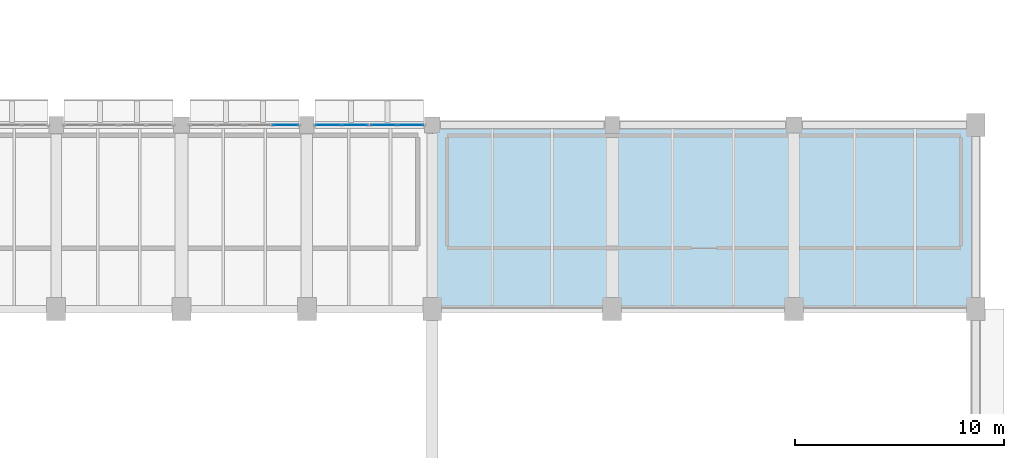
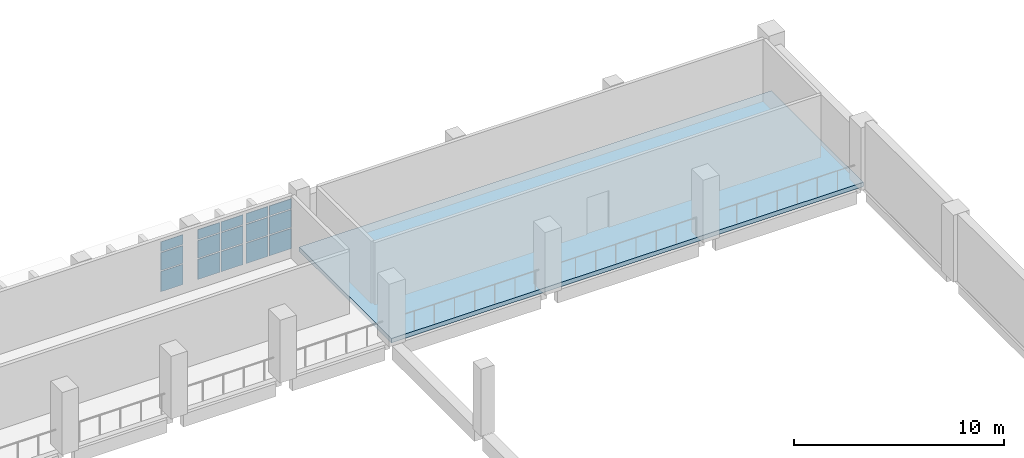
# One storey, part 56 of 80: 15 plates, 1 slab, 3 elements without a shape of their own.
"""IFC4 building model written with IfcOpenShell, lengths in metres."""

import ifcopenshell
import ifcopenshell.guid

model = None  # the IFC model being written
_history = None  # IfcOwnerHistory: only IFC2X3 demands one
_inside = {}  # id of a spatial element -> (the spatial element, [elements in it])
_under = {}  # id of a project, library or spatial element -> (it, [spatial elements below it])
_declared = {}  # id of a project -> (the project, [libraries it declares])
_typed = {}  # id of a type object -> (the type object, [elements of that type])
_made_of = {}  # id of a material, layer set ... -> (it, [elements and type objects made of it])


def new_model(schema):
    """Start an empty IFC model of exactly this schema.

    Asked for "IFC4X3", IfcOpenShell would pick the latest addendum, in which some entities
    have other attributes; the version numbers below select the first issue.
    IFC2X3 requires an IfcOwnerHistory on every rooted entity: one is made here for all.
    """
    global model, _history
    if schema == "IFC4X3":
        model = ifcopenshell.file(schema_version=(4, 3, 0, 0))
    else:
        model = ifcopenshell.file(schema=schema)
    _inside.clear()
    _under.clear()
    _declared.clear()
    _typed.clear()
    _made_of.clear()
    _history = None
    if model.schema == "IFC2X3":
        org = make("IfcOrganization", Name="unknown")
        user = make(
            "IfcPersonAndOrganization",
            ThePerson=make("IfcPerson", FamilyName="unknown"),
            TheOrganization=org,
        )
        app = make(
            "IfcApplication",
            ApplicationDeveloper=org,
            Version="unknown",
            ApplicationFullName="unknown",
            ApplicationIdentifier="unknown",
        )
        _history = make(
            "IfcOwnerHistory",
            OwningUser=user,
            OwningApplication=app,
            ChangeAction="ADDED",
            CreationDate=0,
        )
    return model


def make(cls, **values):
    """One entity of the class cls with the attributes given. An attribute that is None is left unset."""
    return model.create_entity(
        cls, **{name: value for name, value in values.items() if value is not None}
    )


def rooted(cls, **values):
    """An entity with a GlobalId (a new one), such as an element, a storey or a relation."""
    return make(cls, GlobalId=ifcopenshell.guid.new(), OwnerHistory=_history, **values)


def si_unit(unit_type, name, prefix=None):
    """IfcSIUnit, for example si_unit("LENGTHUNIT", "METRE", prefix="MILLI")."""
    return make("IfcSIUnit", UnitType=unit_type, Prefix=prefix, Name=name)


def assignment(units):
    """IfcUnitAssignment: the units of a project."""
    return None if units is None else make("IfcUnitAssignment", Units=units)


def point(xyz):
    """IfcCartesianPoint."""
    return None if xyz is None else make("IfcCartesianPoint", Coordinates=xyz)


def direction(xyz):
    """IfcDirection."""
    return None if xyz is None else make("IfcDirection", DirectionRatios=xyz)


def frame(location, z_axis=None, x_axis=None):
    """IfcAxis2Placement3D, a coordinate frame: its origin and axes. An axis left out is left unset."""
    return make(
        "IfcAxis2Placement3D",
        Location=point(location),
        Axis=direction(z_axis),
        RefDirection=direction(x_axis),
    )


def frame_2d(location, x_axis=None):
    """IfcAxis2Placement2D, a coordinate frame in the plane: its origin and x axis."""
    return make(
        "IfcAxis2Placement2D", Location=point(location), RefDirection=direction(x_axis)
    )


def origin():
    """The frame at (0, 0, 0) with its axes left unset."""
    return frame((0.0, 0.0, 0.0))


def origin_2d():
    """The frame at (0, 0) in the plane with its x axis left unset."""
    return frame_2d((0.0, 0.0))


def place(relative_to, where):
    """IfcLocalPlacement: puts the frame where relative to a parent placement (None: the world)."""
    return make(
        "IfcLocalPlacement", PlacementRelTo=relative_to, RelativePlacement=where
    )


def context(
    kind, dimensions, precision=None, world=None, true_north=None, identifier=None
):
    """IfcGeometricRepresentationContext, for example the 3D "Model" context."""
    return make(
        "IfcGeometricRepresentationContext",
        ContextIdentifier=identifier,
        ContextType=kind,
        CoordinateSpaceDimension=dimensions,
        Precision=precision,
        WorldCoordinateSystem=world,
        TrueNorth=true_north,
    )


def subcontext(parent, identifier, kind, view, scale=None):
    """IfcGeometricRepresentationSubContext, for example "Body" below "Model"."""
    return make(
        "IfcGeometricRepresentationSubContext",
        ContextIdentifier=identifier,
        ContextType=kind,
        ParentContext=parent,
        TargetScale=scale,
        TargetView=view,
    )


def project(units=None, contexts=None):
    """IfcProject with its units and contexts."""
    return rooted(
        "IfcProject",
        Name="project",
        RepresentationContexts=contexts,
        UnitsInContext=assignment(units),
    )


def spatial(cls, under=None, at=None, **own):
    """A site, building, storey or space (cls), placed at a placement, below another one or the project."""
    s = rooted(cls, ObjectPlacement=at, **own)
    if under is not None:
        _under.setdefault(under.id(), (under, []))[1].append(s)
    return s


def polyline(points):
    """IfcPolyline through the points."""
    return make("IfcPolyline", Points=[point(p) for p in points])


def profile(cls, at=None, kind="AREA", **sizes):
    """A parametric profile (cls). Its sizes go by their IFC names, for example OverallWidth=200.0."""
    return make(cls, ProfileType=kind, Position=at, **sizes)


def rectangle(**sizes):
    """IfcRectangleProfileDef."""
    return profile("IfcRectangleProfileDef", **sizes)


def outline(outer, holes=None, kind="AREA"):
    """IfcArbitraryClosedProfileDef: a profile drawn as a closed curve; with holes, ...WithVoids."""
    if holes is None:
        return make("IfcArbitraryClosedProfileDef", ProfileType=kind, OuterCurve=outer)
    return make(
        "IfcArbitraryProfileDefWithVoids",
        ProfileType=kind,
        OuterCurve=outer,
        InnerCurves=holes,
    )


def extrude(swept, where, along, depth):
    """IfcExtrudedAreaSolid: the profile swept, set in the frame where, extruded along a direction by depth."""
    return make(
        "IfcExtrudedAreaSolid",
        SweptArea=swept,
        Position=where,
        ExtrudedDirection=direction(along),
        Depth=depth,
    )


def shape(context_of_items, identifier, shape_type, items):
    """IfcShapeRepresentation: the items that make up one representation, for example the "Body"."""
    return make(
        "IfcShapeRepresentation",
        ContextOfItems=context_of_items,
        RepresentationIdentifier=identifier,
        RepresentationType=shape_type,
        Items=items,
    )


def material(Name=None, Category=None):
    """IfcMaterial."""
    return make("IfcMaterial", Name=Name, Category=Category)


def layer(
    of_material, thickness, ventilated=None, Name=None, Category=None, Priority=None
):
    """IfcMaterialLayer: one layer of a wall or slab, of a material (None: an air gap)."""
    return make(
        "IfcMaterialLayer",
        Material=of_material,
        LayerThickness=thickness,
        IsVentilated=ventilated,
        Name=Name,
        Category=Category,
        Priority=Priority,
    )


def layer_set(layers, Name=None):
    """IfcMaterialLayerSet."""
    return make("IfcMaterialLayerSet", MaterialLayers=layers, LayerSetName=Name)


def made_of(thing, what):
    """Note that an element or type object is made of a material, layer set ...; save() writes the relation."""
    if what is not None:
        _made_of.setdefault(what.id(), (what, []))[1].append(thing)
    return thing


def type_object(cls, material=None, **own):
    """A type object (cls), such as IfcWallType, which elements share."""
    return made_of(rooted(cls, **own), material)


def element(
    cls,
    number,
    at=None,
    inside=None,
    cuts=None,
    type_object=None,
    material=None,
    context=None,
    identifier="Body",
    shape_type=None,
    held_by="IfcProductDefinitionShape",
    body=None,
    shapes=None,
    **own,
):
    """One element of the class cls, such as IfcWall. Its Tag is "e" and its number.

    at: its placement. inside: the storey or other place that contains it. cuts: it is an
    opening in that element (IfcRelVoidsElement). A single representation is given by context,
    identifier, shape_type and body (its items); several are given by shapes. held_by: the class
    of the entity that holds the representations. save() writes the other relations.
    """
    e = rooted(cls, Tag="e%d" % number, ObjectPlacement=at, **own)
    if body is not None:
        shapes = [shape(context, identifier, shape_type, body)]
    if shapes is not None:
        e.Representation = make(held_by, Representations=shapes)
    if inside is not None:
        _inside.setdefault(inside.id(), (inside, []))[1].append(e)
    if cuts is not None:
        rooted(
            "IfcRelVoidsElement", RelatingBuildingElement=cuts, RelatedOpeningElement=e
        )
    if type_object is not None:
        _typed.setdefault(type_object.id(), (type_object, []))[1].append(e)
    return made_of(e, material)


def aggregate(whole, parts):
    """IfcRelAggregates: a whole, such as a stair, and the parts it consists of."""
    return rooted("IfcRelAggregates", RelatingObject=whole, RelatedObjects=parts)


def save(model, path):
    """Write the relations noted so far, then the file.

    IfcRelAggregates (storeys below a building ...), IfcRelContainedInSpatialStructure (elements
    in a storey), IfcRelDefinesByType, IfcRelAssociatesMaterial and IfcRelDeclares: one each for
    every whole, place, type object, material and project.
    """
    for whole, parts in _under.values():
        aggregate(whole, parts)
    for where, things in _inside.values():
        rooted(
            "IfcRelContainedInSpatialStructure",
            RelatedElements=things,
            RelatingStructure=where,
        )
    for kind, things in _typed.values():
        rooted("IfcRelDefinesByType", RelatedObjects=things, RelatingType=kind)
    for what, things in _made_of.values():
        rooted("IfcRelAssociatesMaterial", RelatedObjects=things, RelatingMaterial=what)
    for by, libraries in _declared.values():
        rooted("IfcRelDeclares", RelatingContext=by, RelatedDefinitions=libraries)
    model.write(path)


model = new_model("IFC4")

# Units and contexts
model_context = context("Model", 3, precision=1e-05, world=origin(), true_north=direction((0.0, 1.0)))
body_context = subcontext(model_context, "Body", "Model", "MODEL_VIEW")
ifc_project = project(units=[si_unit("LENGTHUNIT", "METRE"), si_unit("AREAUNIT", "SQUARE_METRE"), si_unit("VOLUMEUNIT", "CUBIC_METRE"), si_unit("PLANEANGLEUNIT", "RADIAN"), si_unit("MASSUNIT", "GRAM", prefix="KILO")], contexts=[model_context])

# Site, building, storey
site_placement = place(None, origin())
site = spatial("IfcSite", under=ifc_project, at=site_placement, CompositionType="ELEMENT")
building_placement = place(site_placement, origin())
building = spatial("IfcBuilding", under=site, at=building_placement, Name="Varnakota Cinema and Media Centre", CompositionType="ELEMENT")
storey_placement = place(building_placement, frame((0.0, 0.0, 4.5)))
storey = spatial("IfcBuildingStorey", under=building, at=storey_placement, Name="L01", CompositionType="ELEMENT", Elevation=4.5)

# Curtain wall, plates
ifc_material_1 = material(Name="Thermally broken anodised aluminium AW-6063", Category="aluminium")
curtain_wall_type = type_object("IfcCurtainWallType", Name="CW-STD-262x304", PredefinedType="USERDEFINED", material=ifc_material_1)
curtain_wall_1_placement = place(storey_placement, origin())
curtain_wall_1 = element("IfcCurtainWall", 1, at=curtain_wall_1_placement, inside=storey, type_object=curtain_wall_type, Name="L01 curtain wall CW-L01-V1-N-09-2", ObjectType="UNITISED CURTAIN WALL", PredefinedType="USERDEFINED")
ifc_material_2 = material(Name="Laminated solar-control double glazing", Category="glass")
ifc_layer_1 = layer(ifc_material_2, 0.028076171875)
ifc_layer_set_1 = layer_set([ifc_layer_1], Name="Laminated solar-control double glazing")
plate_type = type_object("IfcPlateType", Name="CWP-DGU-28", PredefinedType="CURTAIN_PANEL", material=ifc_layer_set_1)
plate_1_placement = place(storey_placement, frame((127.9794921875, 44.0, 0.06494140625), z_axis=(0.0, 0.0, 1.0), x_axis=(1.0, 0.0, 0.0)))
plate_1 = element("IfcPlate", 2, at=plate_1_placement, type_object=plate_type, Name="CW17 panel 2.1", PredefinedType="CURTAIN_PANEL", context=body_context, shape_type="SweptSolid", body=[
    extrude(rectangle(XDim=1.211181640625, YDim=0.028076171875, at=origin_2d()), origin(), (0.0, 0.0, 1.0), 1.17724609375),
])
plate_2_placement = place(storey_placement, frame((127.9794921875, 44.0, 1.30712890625), z_axis=(0.0, 0.0, 1.0), x_axis=(1.0, 0.0, 0.0)))
plate_2 = element("IfcPlate", 3, at=plate_2_placement, type_object=plate_type, Name="CW17 panel 2.2", PredefinedType="CURTAIN_PANEL", context=body_context, shape_type="SweptSolid", body=[
    extrude(rectangle(XDim=1.211181640625, YDim=0.028076171875, at=origin_2d()), origin(), (0.0, 0.0, 1.0), 1.027587890625),
])
plate_3_placement = place(storey_placement, frame((127.9794921875, 44.0, 2.399658203125), z_axis=(0.0, 0.0, 1.0), x_axis=(1.0, 0.0, 0.0)))
plate_3 = element("IfcPlate", 4, at=plate_3_placement, type_object=plate_type, Name="CW17 panel 2.3", PredefinedType="CURTAIN_PANEL", context=body_context, shape_type="SweptSolid", body=[
    extrude(rectangle(XDim=1.211181640625, YDim=0.028076171875, at=origin_2d()), origin(), (0.0, 0.0, 1.0), 0.5703125),
])
aggregate(curtain_wall_1, [plate_1, plate_2, plate_3])

curtain_wall_2_placement = place(storey_placement, origin())
curtain_wall_2 = element("IfcCurtainWall", 5, at=curtain_wall_2_placement, inside=storey, type_object=curtain_wall_type, Name="L01 curtain wall CW-L01-V1-N-10-1", ObjectType="UNITISED CURTAIN WALL", PredefinedType="USERDEFINED")
plate_4_placement = place(storey_placement, frame((130.0205078125, 44.0, 0.06494140625), z_axis=(0.0, 0.0, 1.0), x_axis=(1.0, 0.0, 0.0)))
plate_4 = element("IfcPlate", 6, at=plate_4_placement, type_object=plate_type, Name="CW17 panel 1.1", PredefinedType="CURTAIN_PANEL", context=body_context, shape_type="SweptSolid", body=[
    extrude(rectangle(XDim=1.211181640625, YDim=0.028076171875, at=origin_2d()), origin(), (0.0, 0.0, 1.0), 1.17724609375),
])
plate_5_placement = place(storey_placement, frame((130.0205078125, 44.0, 1.30712890625), z_axis=(0.0, 0.0, 1.0), x_axis=(1.0, 0.0, 0.0)))
plate_5 = element("IfcPlate", 7, at=plate_5_placement, type_object=plate_type, Name="CW17 panel 1.2", PredefinedType="CURTAIN_PANEL", context=body_context, shape_type="SweptSolid", body=[
    extrude(rectangle(XDim=1.211181640625, YDim=0.028076171875, at=origin_2d()), origin(), (0.0, 0.0, 1.0), 1.027587890625),
])
plate_6_placement = place(storey_placement, frame((130.0205078125, 44.0, 2.399658203125), z_axis=(0.0, 0.0, 1.0), x_axis=(1.0, 0.0, 0.0)))
plate_6 = element("IfcPlate", 8, at=plate_6_placement, type_object=plate_type, Name="CW17 panel 1.3", PredefinedType="CURTAIN_PANEL", context=body_context, shape_type="SweptSolid", body=[
    extrude(rectangle(XDim=1.211181640625, YDim=0.028076171875, at=origin_2d()), origin(), (0.0, 0.0, 1.0), 0.5703125),
])
plate_7_placement = place(storey_placement, frame((131.296875, 44.0, 0.06494140625), z_axis=(0.0, 0.0, 1.0), x_axis=(1.0, 0.0, 0.0)))
plate_7 = element("IfcPlate", 9, at=plate_7_placement, type_object=plate_type, Name="CW17 panel 2.1", PredefinedType="CURTAIN_PANEL", context=body_context, shape_type="SweptSolid", body=[
    extrude(rectangle(XDim=1.211181640625, YDim=0.028076171875, at=origin_2d()), origin(), (0.0, 0.0, 1.0), 1.17724609375),
])
plate_8_placement = place(storey_placement, frame((131.296875, 44.0, 1.30712890625), z_axis=(0.0, 0.0, 1.0), x_axis=(1.0, 0.0, 0.0)))
plate_8 = element("IfcPlate", 10, at=plate_8_placement, type_object=plate_type, Name="CW17 panel 2.2", PredefinedType="CURTAIN_PANEL", context=body_context, shape_type="SweptSolid", body=[
    extrude(rectangle(XDim=1.211181640625, YDim=0.028076171875, at=origin_2d()), origin(), (0.0, 0.0, 1.0), 1.027587890625),
])
plate_9_placement = place(storey_placement, frame((131.296875, 44.0, 2.399658203125), z_axis=(0.0, 0.0, 1.0), x_axis=(1.0, 0.0, 0.0)))
plate_9 = element("IfcPlate", 11, at=plate_9_placement, type_object=plate_type, Name="CW17 panel 2.3", PredefinedType="CURTAIN_PANEL", context=body_context, shape_type="SweptSolid", body=[
    extrude(rectangle(XDim=1.211181640625, YDim=0.028076171875, at=origin_2d()), origin(), (0.0, 0.0, 1.0), 0.5703125),
])
aggregate(curtain_wall_2, [plate_4, plate_5, plate_6, plate_7, plate_8, plate_9])

curtain_wall_3_placement = place(storey_placement, origin())
curtain_wall_3 = element("IfcCurtainWall", 12, at=curtain_wall_3_placement, inside=storey, type_object=curtain_wall_type, Name="L01 curtain wall CW-L01-V1-N-10-2", ObjectType="UNITISED CURTAIN WALL", PredefinedType="USERDEFINED")
plate_10_placement = place(storey_placement, frame((132.67822265625, 44.0, 0.06494140625), z_axis=(0.0, 0.0, 1.0), x_axis=(1.0, 0.0, 0.0)))
plate_10 = element("IfcPlate", 13, at=plate_10_placement, type_object=plate_type, Name="CW17 panel 1.1", PredefinedType="CURTAIN_PANEL", context=body_context, shape_type="SweptSolid", body=[
    extrude(rectangle(XDim=1.211181640625, YDim=0.028076171875, at=origin_2d()), origin(), (0.0, 0.0, 1.0), 1.17724609375),
])
plate_11_placement = place(storey_placement, frame((132.67822265625, 44.0, 1.30712890625), z_axis=(0.0, 0.0, 1.0), x_axis=(1.0, 0.0, 0.0)))
plate_11 = element("IfcPlate", 14, at=plate_11_placement, type_object=plate_type, Name="CW17 panel 1.2", PredefinedType="CURTAIN_PANEL", context=body_context, shape_type="SweptSolid", body=[
    extrude(rectangle(XDim=1.211181640625, YDim=0.028076171875, at=origin_2d()), origin(), (0.0, 0.0, 1.0), 1.027587890625),
])
plate_12_placement = place(storey_placement, frame((132.67822265625, 44.0, 2.399658203125), z_axis=(0.0, 0.0, 1.0), x_axis=(1.0, 0.0, 0.0)))
plate_12 = element("IfcPlate", 15, at=plate_12_placement, type_object=plate_type, Name="CW17 panel 1.3", PredefinedType="CURTAIN_PANEL", context=body_context, shape_type="SweptSolid", body=[
    extrude(rectangle(XDim=1.211181640625, YDim=0.028076171875, at=origin_2d()), origin(), (0.0, 0.0, 1.0), 0.5703125),
])
plate_13_placement = place(storey_placement, frame((133.954345703125, 44.0, 0.06494140625), z_axis=(0.0, 0.0, 1.0), x_axis=(1.0, 0.0, 0.0)))
plate_13 = element("IfcPlate", 16, at=plate_13_placement, type_object=plate_type, Name="CW17 panel 2.1", PredefinedType="CURTAIN_PANEL", context=body_context, shape_type="SweptSolid", body=[
    extrude(rectangle(XDim=1.211181640625, YDim=0.028076171875, at=origin_2d()), origin(), (0.0, 0.0, 1.0), 1.17724609375),
])
plate_14_placement = place(storey_placement, frame((133.954345703125, 44.0, 1.30712890625), z_axis=(0.0, 0.0, 1.0), x_axis=(1.0, 0.0, 0.0)))
plate_14 = element("IfcPlate", 17, at=plate_14_placement, type_object=plate_type, Name="CW17 panel 2.2", PredefinedType="CURTAIN_PANEL", context=body_context, shape_type="SweptSolid", body=[
    extrude(rectangle(XDim=1.211181640625, YDim=0.028076171875, at=origin_2d()), origin(), (0.0, 0.0, 1.0), 1.027587890625),
])
plate_15_placement = place(storey_placement, frame((133.954345703125, 44.0, 2.399658203125), z_axis=(0.0, 0.0, 1.0), x_axis=(1.0, 0.0, 0.0)))
plate_15 = element("IfcPlate", 18, at=plate_15_placement, type_object=plate_type, Name="CW17 panel 2.3", PredefinedType="CURTAIN_PANEL", context=body_context, shape_type="SweptSolid", body=[
    extrude(rectangle(XDim=1.211181640625, YDim=0.028076171875, at=origin_2d()), origin(), (0.0, 0.0, 1.0), 0.5703125),
])
aggregate(curtain_wall_3, [plate_10, plate_11, plate_12, plate_13, plate_14, plate_15])

# Slab
ifc_material_3 = material(Name="Concrete M35", Category="concrete")
ifc_layer_2 = layer(ifc_material_3, 0.25)
ifc_layer_set_2 = layer_set([ifc_layer_2], Name="Concrete M35")
slab_type = type_object("IfcSlabType", Name="SLB-FLR-250", PredefinedType="FLOOR", material=ifc_layer_set_2)
slab_placement = place(storey_placement, frame((0.0, 0.0, -0.25)))
element("IfcSlab", 19, at=slab_placement, inside=storey, type_object=slab_type, Name="L01 V2-GAL floor slab", PredefinedType="FLOOR", context=body_context, shape_type="SweptSolid", body=[
    extrude(outline(polyline([(135.0, 35.199951171875), (161.0, 35.199951171875), (161.0, 44.0), (135.0, 44.0), (135.0, 35.199951171875)])), origin(), (0.0, 0.0, 1.0), 0.25),
])

save(model, "model.ifc")
